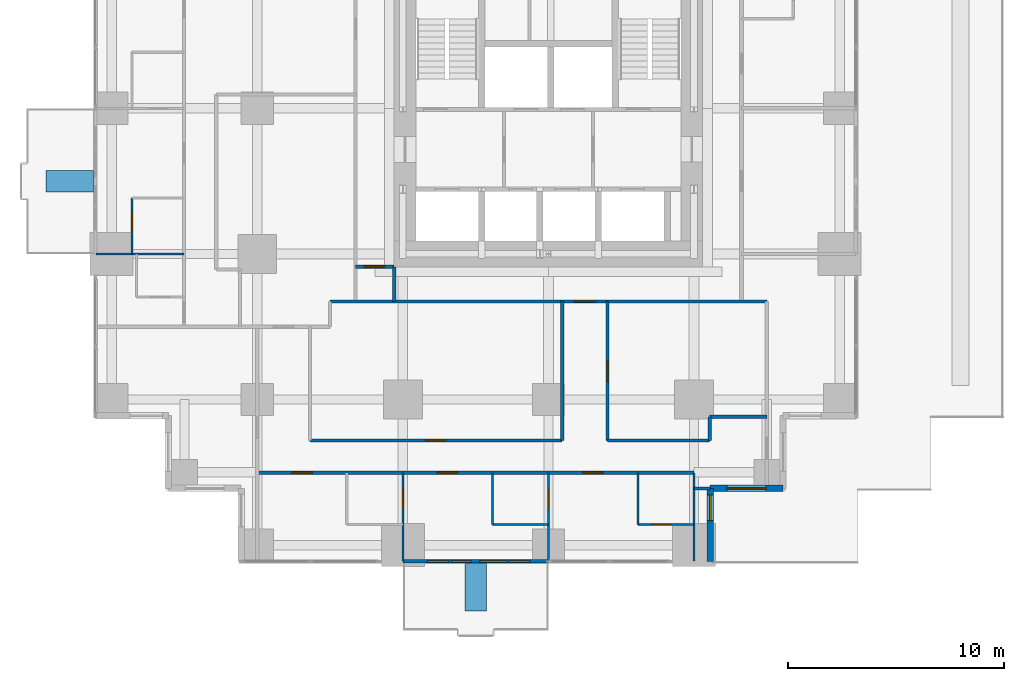
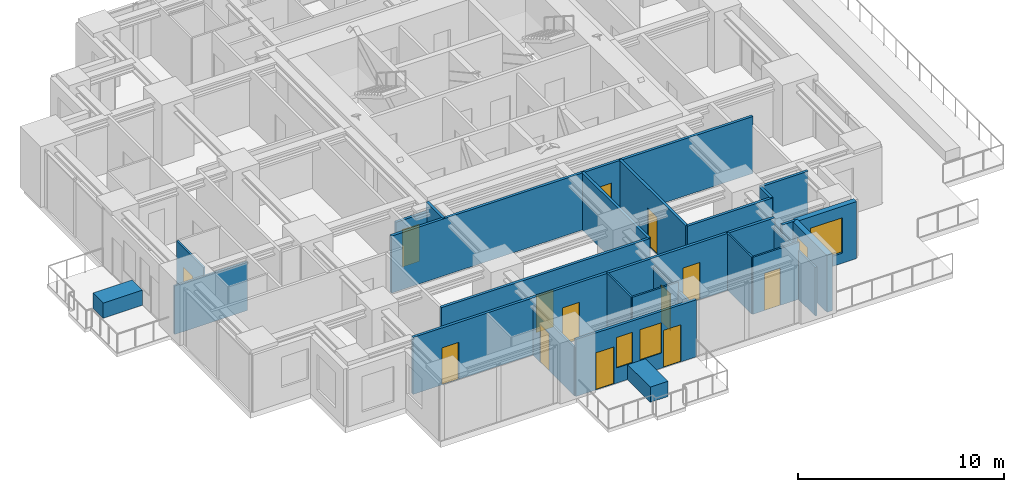
# One storey, part 5 of 10: 25 walls, 13 doors, 4 windows, 17 openings.
"""IFC4 building model written with IfcOpenShell, lengths in metres."""

from ifc_helpers import new_model, si_unit, direction, frame, frame_2d, origin, place, context, subcontext, project, spatial, rectangle, extrude, material, layer, layer_set, type_object, element, fill, save


model = new_model("IFC4")

# Units and contexts
model_context = context("Model", 3, precision=1e-05, world=origin(), true_north=direction((0.0, 1.0)))
body_context = subcontext(model_context, "Body", "Model", "MODEL_VIEW")
ifc_project = project(units=[si_unit("LENGTHUNIT", "METRE"), si_unit("AREAUNIT", "SQUARE_METRE"), si_unit("VOLUMEUNIT", "CUBIC_METRE"), si_unit("PLANEANGLEUNIT", "RADIAN"), si_unit("MASSUNIT", "GRAM", prefix="KILO")], contexts=[model_context])

# Site, building, storey
site_placement = place(None, origin())
site = spatial("IfcSite", under=ifc_project, at=site_placement, CompositionType="ELEMENT")
building_placement = place(site_placement, origin())
building = spatial("IfcBuilding", under=site, at=building_placement, Name="Nyansa Garden Tower", CompositionType="ELEMENT")
storey_placement = place(building_placement, frame((0.0, 0.0, 142.199951171875)))
storey = spatial("IfcBuildingStorey", under=building, at=storey_placement, Name="L38", CompositionType="ELEMENT", Elevation=142.199951171875)

# Wall, openings, doors, windows
ifc_material_1 = material(Name="Black aluminium framed glazed screen", Category="aluminium")
ifc_layer_1 = layer(ifc_material_1, 0.14990234375)
ifc_layer_set_1 = layer_set([ifc_layer_1], Name="Balcony screen wall BW150")
wall_type_1 = type_object("IfcWallType", Name="Balcony screen wall BW150", PredefinedType="SOLIDWALL", material=ifc_layer_set_1)
wall_1_placement = place(storey_placement, frame((20.25, -0.75, 0.0), z_axis=(0.0, 0.0, 1.0), x_axis=(-1.0, 0.0, 0.0)))
wall_1 = element("IfcWall", 1, at=wall_1_placement, inside=storey, type_object=wall_type_1, Name="Glazed screen wall L38 S", PredefinedType="SOLIDWALL", context=body_context, shape_type="SweptSolid", body=[
    extrude(rectangle(XDim=6.75, YDim=0.14990234375, at=frame_2d((3.375, 0.0))), origin(), (0.0, 0.0, 1.0), 3.375),
])
opening_1_placement = place(wall_1_placement, frame((0.862548828125, 0.0, 0.0)))
opening_1 = element("IfcOpeningElement", 2, at=opening_1_placement, cuts=wall_1, Name="Opening D20", PredefinedType="OPENING", context=body_context, shape_type="SweptSolid", body=[
    extrude(rectangle(XDim=1.0, YDim=2.199951171875, at=frame_2d((0.5, 1.10009765625))), frame((0.0, 0.0849609375, 0.0), z_axis=(0.0, -1.0, 0.0), x_axis=(1.0, 0.0, 0.0)), (0.0, 0.0, 1.0), 0.169921875),
])
opening_2_placement = place(wall_1_placement, frame((1.97509765625, 0.0, 0.89990234375)))
opening_2 = element("IfcOpeningElement", 3, at=opening_2_placement, cuts=wall_1, Name="Opening W6", PredefinedType="OPENING", context=body_context, shape_type="SweptSolid", body=[
    extrude(rectangle(XDim=1.199951171875, YDim=1.800048828125, at=frame_2d((0.60009765625, 0.89990234375))), frame((0.0, 0.0849609375, 0.0), z_axis=(0.0, -1.0, 0.0), x_axis=(1.0, 0.0, 0.0)), (0.0, 0.0, 1.0), 0.169921875),
])
opening_3_placement = place(wall_1_placement, frame((4.620849609375, 0.0, 0.0)))
opening_3 = element("IfcOpeningElement", 4, at=opening_3_placement, cuts=wall_1, Name="Opening D20", PredefinedType="OPENING", context=body_context, shape_type="SweptSolid", body=[
    extrude(rectangle(XDim=1.0, YDim=2.199951171875, at=frame_2d((0.5, 1.10009765625))), frame((0.0, 0.0849609375, 0.0), z_axis=(0.0, -1.0, 0.0), x_axis=(1.0, 0.0, 0.0)), (0.0, 0.0, 1.0), 0.169921875),
])
opening_4_placement = place(wall_1_placement, frame((3.591552734375, 0.0, 0.89990234375)))
opening_4 = element("IfcOpeningElement", 5, at=opening_4_placement, cuts=wall_1, Name="Opening W7", PredefinedType="OPENING", context=body_context, shape_type="SweptSolid", body=[
    extrude(rectangle(XDim=0.89990234375, YDim=1.800048828125, at=frame_2d((0.449951171875, 0.89990234375))), frame((0.0, 0.0849609375, 0.0), z_axis=(0.0, -1.0, 0.0), x_axis=(1.0, 0.0, 0.0)), (0.0, 0.0, 1.0), 0.169921875),
])
ifc_material_2 = material(Name="Black aluminium framed glazed door", Category="aluminium")
door_type_1 = type_object("IfcDoorType", Name="Balcony door D20 1000x2200", OperationType="NOTDEFINED", PredefinedType="DOOR", material=ifc_material_2)
door_1_placement = place(opening_1_placement, origin())
door_1 = element("IfcDoor", 6, at=door_1_placement, inside=storey, type_object=door_type_1, Name="Balcony door L38", OperationType="SINGLE_SWING_LEFT", OverallHeight=2.199951171875, OverallWidth=1.0, PredefinedType="DOOR", context=body_context, shape_type="SweptSolid", body=[
    extrude(rectangle(XDim=1.0, YDim=2.199951171875, at=frame_2d((0.5, 1.10009765625))), frame((0.0, 0.02490234375, 0.0), z_axis=(0.0, -1.0, 0.0), x_axis=(1.0, 0.0, 0.0)), (0.0, 0.0, 1.0), 0.050048828125),
])
fill(opening_1, door_1)
door_2_placement = place(opening_3_placement, origin())
door_2 = element("IfcDoor", 7, at=door_2_placement, inside=storey, type_object=door_type_1, Name="Balcony door L38", OperationType="SINGLE_SWING_RIGHT", OverallHeight=2.199951171875, OverallWidth=1.0, PredefinedType="DOOR", context=body_context, shape_type="SweptSolid", body=[
    extrude(rectangle(XDim=1.0, YDim=2.199951171875, at=frame_2d((0.5, 1.10009765625))), frame((0.0, 0.02490234375, 0.0), z_axis=(0.0, -1.0, 0.0), x_axis=(1.0, 0.0, 0.0)), (0.0, 0.0, 1.0), 0.050048828125),
])
fill(opening_3, door_2)
ifc_material_3 = material(Name="Black aluminium frame, dark tinted double glazing", Category="aluminium")
window_type_1 = type_object("IfcWindowType", Name="Balcony window W6 1200x1800", PartitioningType="SINGLE_PANEL", PredefinedType="WINDOW", material=ifc_material_3)
window_1_placement = place(opening_2_placement, origin())
window_1 = element("IfcWindow", 8, at=window_1_placement, inside=storey, type_object=window_type_1, Name="Window L38", OverallHeight=1.800048828125, OverallWidth=1.199951171875, PartitioningType="SINGLE_PANEL", PredefinedType="WINDOW", context=body_context, shape_type="SweptSolid", body=[
    extrude(rectangle(XDim=1.199951171875, YDim=1.800048828125, at=frame_2d((0.60009765625, 0.89990234375))), frame((0.0, 0.030029296875, 0.0), z_axis=(0.0, -1.0, 0.0), x_axis=(1.0, 0.0, 0.0)), (0.0, 0.0, 1.0), 0.06005859375),
])
fill(opening_2, window_1)
ifc_material_4 = material(Name="Black aluminium frame, dark tinted double glazing", Category="aluminium")
window_type_2 = type_object("IfcWindowType", Name="Balcony window W7 900x1800", PartitioningType="SINGLE_PANEL", PredefinedType="WINDOW", material=ifc_material_4)
window_2_placement = place(opening_4_placement, origin())
window_2 = element("IfcWindow", 9, at=window_2_placement, inside=storey, type_object=window_type_2, Name="Window L38", OverallHeight=1.800048828125, OverallWidth=0.89990234375, PartitioningType="SINGLE_PANEL", PredefinedType="WINDOW", context=body_context, shape_type="SweptSolid", body=[
    extrude(rectangle(XDim=0.89990234375, YDim=1.800048828125, at=frame_2d((0.449951171875, 0.89990234375))), frame((0.0, 0.030029296875, 0.0), z_axis=(0.0, -1.0, 0.0), x_axis=(1.0, 0.0, 0.0)), (0.0, 0.0, 1.0), 0.06005859375),
])
fill(opening_4, window_2)

# Wall, openings, doors
ifc_material_5 = material(Name="Blockwork, plastered both sides", Category="masonry")
ifc_layer_2 = layer(ifc_material_5, 0.14990234375)
ifc_layer_set_2 = layer_set([ifc_layer_2], Name="Partition PW150")
wall_type_2 = type_object("IfcWallType", Name="Partition PW150", PredefinedType="PARTITIONING", material=ifc_layer_set_2)
wall_2_placement = place(storey_placement, frame((6.75, 3.35009765625, 0.0), z_axis=(0.0, 0.0, 1.0), x_axis=(1.0, 0.0, 0.0)))
wall_2 = element("IfcWall", 10, at=wall_2_placement, inside=storey, type_object=wall_type_2, Name="Partition", PredefinedType="PARTITIONING", context=body_context, shape_type="SweptSolid", body=[
    extrude(rectangle(XDim=20.25, YDim=0.14990234375, at=frame_2d((10.125, 0.0))), origin(), (0.0, 0.0, 1.0), 3.375),
])
opening_5_placement = place(wall_2_placement, frame((15.10009765625, 0.0, 0.0)))
opening_5 = element("IfcOpeningElement", 11, at=opening_5_placement, cuts=wall_2, Name="Opening D14", PredefinedType="OPENING", context=body_context, shape_type="SweptSolid", body=[
    extrude(rectangle(XDim=0.949951171875, YDim=2.199951171875, at=frame_2d((0.47509765625, 1.10009765625))), frame((0.0, 0.0849609375, 0.0), z_axis=(0.0, -1.0, 0.0), x_axis=(1.0, 0.0, 0.0)), (0.0, 0.0, 1.0), 0.169921875),
])
opening_6_placement = place(wall_2_placement, frame((8.35009765625, 0.0, 0.0)))
opening_6 = element("IfcOpeningElement", 12, at=opening_6_placement, cuts=wall_2, Name="Opening D14", PredefinedType="OPENING", context=body_context, shape_type="SweptSolid", body=[
    extrude(rectangle(XDim=0.949951171875, YDim=2.199951171875, at=frame_2d((0.47509765625, 1.10009765625))), frame((0.0, 0.0849609375, 0.0), z_axis=(0.0, -1.0, 0.0), x_axis=(1.0, 0.0, 0.0)), (0.0, 0.0, 1.0), 0.169921875),
])
opening_7_placement = place(wall_2_placement, frame((1.60009765625, 0.0, 0.0)))
opening_7 = element("IfcOpeningElement", 13, at=opening_7_placement, cuts=wall_2, Name="Opening D14", PredefinedType="OPENING", context=body_context, shape_type="SweptSolid", body=[
    extrude(rectangle(XDim=0.949951171875, YDim=2.199951171875, at=frame_2d((0.47509765625, 1.10009765625))), frame((0.0, 0.0849609375, 0.0), z_axis=(0.0, -1.0, 0.0), x_axis=(1.0, 0.0, 0.0)), (0.0, 0.0, 1.0), 0.169921875),
])
ifc_material_6 = material(Name="Timber flush door, 60 minute fire resisting, self-closing", Category="wood")
door_type_2 = type_object("IfcDoorType", Name="Studio entrance door D14 950x2200", OperationType="SINGLE_SWING_LEFT", PredefinedType="DOOR", material=ifc_material_6)
door_3_placement = place(opening_5_placement, origin())
door_3 = element("IfcDoor", 14, at=door_3_placement, inside=storey, type_object=door_type_2, Name="Door L38-018", OperationType="SINGLE_SWING_LEFT", OverallHeight=2.199951171875, OverallWidth=0.949951171875, PredefinedType="DOOR", context=body_context, shape_type="SweptSolid", body=[
    extrude(rectangle(XDim=0.949951171875, YDim=2.199951171875, at=frame_2d((0.47509765625, 1.10009765625))), frame((0.0, 0.02490234375, 0.0), z_axis=(0.0, -1.0, 0.0), x_axis=(1.0, 0.0, 0.0)), (0.0, 0.0, 1.0), 0.050048828125),
])
fill(opening_5, door_3)
door_4_placement = place(opening_6_placement, origin())
door_4 = element("IfcDoor", 15, at=door_4_placement, inside=storey, type_object=door_type_2, Name="Door L38-020", OperationType="SINGLE_SWING_LEFT", OverallHeight=2.199951171875, OverallWidth=0.949951171875, PredefinedType="DOOR", context=body_context, shape_type="SweptSolid", body=[
    extrude(rectangle(XDim=0.949951171875, YDim=2.199951171875, at=frame_2d((0.47509765625, 1.10009765625))), frame((0.0, 0.02490234375, 0.0), z_axis=(0.0, -1.0, 0.0), x_axis=(1.0, 0.0, 0.0)), (0.0, 0.0, 1.0), 0.050048828125),
])
fill(opening_6, door_4)
door_5_placement = place(opening_7_placement, origin())
door_5 = element("IfcDoor", 16, at=door_5_placement, inside=storey, type_object=door_type_2, Name="Door L38-022", OperationType="SINGLE_SWING_LEFT", OverallHeight=2.199951171875, OverallWidth=0.949951171875, PredefinedType="DOOR", context=body_context, shape_type="SweptSolid", body=[
    extrude(rectangle(XDim=0.949951171875, YDim=2.199951171875, at=frame_2d((0.47509765625, 1.10009765625))), frame((0.0, 0.02490234375, 0.0), z_axis=(0.0, -1.0, 0.0), x_axis=(1.0, 0.0, 0.0)), (0.0, 0.0, 1.0), 0.050048828125),
])
fill(opening_7, door_5)

# Wall, opening, door
wall_3_placement = place(storey_placement, frame((9.199951171875, 4.85009765625, 0.0), z_axis=(0.0, 0.0, 1.0), x_axis=(1.0, 0.0, 0.0)))
wall_3 = element("IfcWall", 17, at=wall_3_placement, inside=storey, type_object=wall_type_2, Name="Partition", PredefinedType="PARTITIONING", context=body_context, shape_type="SweptSolid", body=[
    extrude(rectangle(XDim=11.6875, YDim=0.14990234375, at=frame_2d((5.84375, 0.0))), origin(), (0.0, 0.0, 1.0), 3.375),
])
opening_8_placement = place(wall_3_placement, frame((5.35009765625, 0.0, 0.0)))
opening_8 = element("IfcOpeningElement", 18, at=opening_8_placement, cuts=wall_3, Name="Opening D01", PredefinedType="OPENING", context=body_context, shape_type="SweptSolid", body=[
    extrude(rectangle(XDim=0.949951171875, YDim=2.199951171875, at=frame_2d((0.47509765625, 1.10009765625))), frame((0.0, 0.0849609375, 0.0), z_axis=(0.0, -1.0, 0.0), x_axis=(1.0, 0.0, 0.0)), (0.0, 0.0, 1.0), 0.169921875),
])
ifc_material_7 = material(Name="Timber flush door, 30 minute fire resisting", Category="wood")
door_type_3 = type_object("IfcDoorType", Name="Bedroom door D01 950x2200", OperationType="SINGLE_SWING_LEFT", PredefinedType="DOOR", material=ifc_material_7)
door_6_placement = place(opening_8_placement, origin())
door_6 = element("IfcDoor", 19, at=door_6_placement, inside=storey, type_object=door_type_3, Name="Door L38-025", OperationType="SINGLE_SWING_LEFT", OverallHeight=2.199951171875, OverallWidth=0.949951171875, PredefinedType="DOOR", context=body_context, shape_type="SweptSolid", body=[
    extrude(rectangle(XDim=0.949951171875, YDim=2.199951171875, at=frame_2d((0.47509765625, 1.10009765625))), frame((0.0, 0.02490234375, 0.0), z_axis=(0.0, -1.0, 0.0), x_axis=(1.0, 0.0, 0.0)), (0.0, 0.0, 1.0), 0.050048828125),
])
fill(opening_8, door_6)

wall_4_placement = place(storey_placement, frame((10.125, 11.300048828125, 0.0), z_axis=(0.0, 0.0, 1.0), x_axis=(1.0, 0.0, 0.0)))
wall_4 = element("IfcWall", 20, at=wall_4_placement, inside=storey, type_object=wall_type_2, Name="Partition", PredefinedType="PARTITIONING", context=body_context, shape_type="SweptSolid", body=[
    extrude(rectangle(XDim=20.25, YDim=0.14990234375, at=frame_2d((10.125, 0.0))), origin(), (0.0, 0.0, 1.0), 3.375),
])
opening_9_placement = place(wall_4_placement, frame((11.3125, 0.0, 0.0)))
opening_9 = element("IfcOpeningElement", 21, at=opening_9_placement, cuts=wall_4, Name="Opening D03", PredefinedType="OPENING", context=body_context, shape_type="SweptSolid", body=[
    extrude(rectangle(XDim=1.0, YDim=2.199951171875, at=frame_2d((0.5, 1.10009765625))), frame((0.0, 0.0849609375, 0.0), z_axis=(0.0, -1.0, 0.0), x_axis=(1.0, 0.0, 0.0)), (0.0, 0.0, 1.0), 0.169921875),
])
ifc_material_8 = material(Name="Timber flush door, 60 minute fire resisting", Category="wood")
door_type_4 = type_object("IfcDoorType", Name="Cluster entrance door D03 1000x2200", OperationType="SINGLE_SWING_LEFT", PredefinedType="DOOR", material=ifc_material_8)
door_7_placement = place(opening_9_placement, origin())
door_7 = element("IfcDoor", 22, at=door_7_placement, inside=storey, type_object=door_type_4, Name="Door L38-024", OperationType="SINGLE_SWING_LEFT", OverallHeight=2.199951171875, OverallWidth=1.0, PredefinedType="DOOR", context=body_context, shape_type="SweptSolid", body=[
    extrude(rectangle(XDim=1.0, YDim=2.199951171875, at=frame_2d((0.5, 1.10009765625))), frame((0.0, 0.02490234375, 0.0), z_axis=(0.0, -1.0, 0.0), x_axis=(1.0, 0.0, 0.0)), (0.0, 0.0, 1.0), 0.050048828125),
])
fill(opening_9, door_7)

wall_5_placement = place(storey_placement, frame((11.300048828125, 12.89990234375, 0.0), z_axis=(0.0, 0.0, 1.0), x_axis=(1.0, 0.0, 0.0)))
wall_5 = element("IfcWall", 23, at=wall_5_placement, inside=storey, type_object=wall_type_2, Name="Partition", PredefinedType="PARTITIONING", context=body_context, shape_type="SweptSolid", body=[
    extrude(rectangle(XDim=1.800048828125, YDim=0.14990234375, at=frame_2d((0.89990234375, 0.0))), origin(), (0.0, 0.0, 1.0), 2.80615234375),
])
opening_10_placement = place(wall_5_placement, frame((0.39990234375, 0.0, 0.0)))
opening_10 = element("IfcOpeningElement", 24, at=opening_10_placement, cuts=wall_5, Name="Opening D01", PredefinedType="OPENING", context=body_context, shape_type="SweptSolid", body=[
    extrude(rectangle(XDim=0.949951171875, YDim=2.199951171875, at=frame_2d((0.47509765625, 1.10009765625))), frame((0.0, 0.0849609375, 0.0), z_axis=(0.0, -1.0, 0.0), x_axis=(1.0, 0.0, 0.0)), (0.0, 0.0, 1.0), 0.169921875),
])
door_8_placement = place(opening_10_placement, origin())
door_8 = element("IfcDoor", 25, at=door_8_placement, inside=storey, type_object=door_type_3, Name="Door L38-016", OperationType="SINGLE_SWING_LEFT", OverallHeight=2.199951171875, OverallWidth=0.949951171875, PredefinedType="DOOR", context=body_context, shape_type="SweptSolid", body=[
    extrude(rectangle(XDim=0.949951171875, YDim=2.199951171875, at=frame_2d((0.47509765625, 1.10009765625))), frame((0.0, 0.02490234375, 0.0), z_axis=(0.0, -1.0, 0.0), x_axis=(1.0, 0.0, 0.0)), (0.0, 0.0, 1.0), 0.050048828125),
])
fill(opening_10, door_8)

# Walls
wall_6_placement = place(storey_placement, frame((13.10009765625, 11.300048828125, 0.0), z_axis=(0.0, 0.0, 1.0), x_axis=(0.0, 1.0, 0.0)))
element("IfcWall", 26, at=wall_6_placement, inside=storey, type_object=wall_type_2, Name="Partition", PredefinedType="PARTITIONING", context=body_context, shape_type="SweptSolid", body=[
    extrude(rectangle(XDim=1.599853515625, YDim=0.14990234375, at=frame_2d((0.7998046875, 0.0))), origin(), (0.0, 0.0, 1.0), 3.375),
])
wall_7_placement = place(storey_placement, frame((20.886962890625, 4.85009765625, 0.0), z_axis=(0.0, 0.0, 1.0), x_axis=(0.0, 1.0, 0.0)))
element("IfcWall", 27, at=wall_7_placement, inside=storey, type_object=wall_type_2, Name="Partition", PredefinedType="PARTITIONING", context=body_context, shape_type="SweptSolid", body=[
    extrude(rectangle(XDim=6.449951171875, YDim=0.14990234375, at=frame_2d((3.22509765625, 0.0))), origin(), (0.0, 0.0, 1.0), 3.375),
])
wall_8_placement = place(storey_placement, frame((22.987548828125, 4.85009765625, 0.0), z_axis=(0.0, 0.0, 1.0), x_axis=(1.0, 0.0, 0.0)))
element("IfcWall", 28, at=wall_8_placement, inside=storey, type_object=wall_type_2, Name="Partition", PredefinedType="PARTITIONING", context=body_context, shape_type="SweptSolid", body=[
    extrude(rectangle(XDim=4.737548828125, YDim=0.14990234375, at=frame_2d((2.36865234375, 0.0))), origin(), (0.0, 0.0, 1.0), 3.375),
])

# Wall, opening, door
wall_9_placement = place(storey_placement, frame((22.988037109375, 4.85009765625, 0.0), z_axis=(0.0, 0.0, 1.0), x_axis=(0.0, 1.0, 0.0)))
wall_9 = element("IfcWall", 29, at=wall_9_placement, inside=storey, type_object=wall_type_2, Name="Partition", PredefinedType="PARTITIONING", context=body_context, shape_type="SweptSolid", body=[
    extrude(rectangle(XDim=6.449951171875, YDim=0.14990234375, at=frame_2d((3.22509765625, 0.0))), origin(), (0.0, 0.0, 1.0), 3.375),
])
opening_11_placement = place(wall_9_placement, frame((2.75, 0.0, 0.0)))
opening_11 = element("IfcOpeningElement", 30, at=opening_11_placement, cuts=wall_9, Name="Opening D01", PredefinedType="OPENING", context=body_context, shape_type="SweptSolid", body=[
    extrude(rectangle(XDim=0.949951171875, YDim=2.199951171875, at=frame_2d((0.47509765625, 1.10009765625))), frame((0.0, 0.0849609375, 0.0), z_axis=(0.0, -1.0, 0.0), x_axis=(1.0, 0.0, 0.0)), (0.0, 0.0, 1.0), 0.169921875),
])
door_9_placement = place(opening_11_placement, origin())
door_9 = element("IfcDoor", 31, at=door_9_placement, inside=storey, type_object=door_type_3, Name="Door L38-026", OperationType="SINGLE_SWING_LEFT", OverallHeight=2.199951171875, OverallWidth=0.949951171875, PredefinedType="DOOR", context=body_context, shape_type="SweptSolid", body=[
    extrude(rectangle(XDim=0.949951171875, YDim=2.199951171875, at=frame_2d((0.47509765625, 1.10009765625))), frame((0.0, 0.02490234375, 0.0), z_axis=(0.0, -1.0, 0.0), x_axis=(1.0, 0.0, 0.0)), (0.0, 0.0, 1.0), 0.050048828125),
])
fill(opening_11, door_9)

# Walls
wall_10_placement = place(storey_placement, frame((27.0, 2.625, 0.0), z_axis=(0.0, 0.0, 1.0), x_axis=(1.0, 0.0, 0.0)))
element("IfcWall", 32, at=wall_10_placement, inside=storey, type_object=wall_type_2, Name="Partition", PredefinedType="PARTITIONING", context=body_context, shape_type="SweptSolid", body=[
    extrude(rectangle(XDim=0.73388671875, YDim=0.14990234375, at=frame_2d((0.366943359375, 0.0))), origin(), (0.0, 0.0, 1.0), 3.375),
])
wall_11_placement = place(storey_placement, frame((27.72509765625, 4.85009765625, 0.0), z_axis=(0.0, 0.0, 1.0), x_axis=(0.0, 1.0, 0.0)))
element("IfcWall", 33, at=wall_11_placement, inside=storey, type_object=wall_type_2, Name="Partition", PredefinedType="PARTITIONING", context=body_context, shape_type="SweptSolid", body=[
    extrude(rectangle(XDim=1.099853515625, YDim=0.14990234375, at=frame_2d((0.5498046875, 0.0))), origin(), (0.0, 0.0, 1.0), 3.375),
])
wall_12_placement = place(storey_placement, frame((27.72509765625, 5.949951171875, 0.0), z_axis=(0.0, 0.0, 1.0), x_axis=(1.0, 0.0, 0.0)))
element("IfcWall", 34, at=wall_12_placement, inside=storey, type_object=wall_type_2, Name="Partition", PredefinedType="PARTITIONING", context=body_context, shape_type="SweptSolid", body=[
    extrude(rectangle(XDim=2.64990234375, YDim=0.14990234375, at=frame_2d((1.324951171875, 0.0))), origin(), (0.0, 0.0, 1.0), 3.375),
])

# Wall, opening, window
ifc_material_9 = material(Name="Turquoise glazed tile on concrete blockwork", Category="masonry")
ifc_layer_3 = layer(ifc_material_9, 0.300048828125)
ifc_layer_set_3 = layer_set([ifc_layer_3], Name="Tiled corner wall TW300")
wall_type_3 = type_object("IfcWallType", Name="Tiled corner wall TW300", PredefinedType="SOLIDWALL", material=ifc_layer_set_3)
wall_13_placement = place(storey_placement, frame((27.75, -0.75, 0.0), z_axis=(0.0, 0.0, 1.0), x_axis=(0.0, 1.0, 0.0)))
wall_13 = element("IfcWall", 35, at=wall_13_placement, inside=storey, type_object=wall_type_3, Name="Tiled corner wall L38", PredefinedType="SOLIDWALL", context=body_context, shape_type="SweptSolid", body=[
    extrude(rectangle(XDim=3.375, YDim=0.300048828125, at=frame_2d((1.6875, 0.0))), origin(), (0.0, 0.0, 1.0), 3.375),
])
opening_12_placement = place(wall_13_placement, frame((1.882568359375, 0.0, 0.89990234375)))
opening_12 = element("IfcOpeningElement", 36, at=opening_12_placement, cuts=wall_13, Name="Opening W4", PredefinedType="OPENING", context=body_context, shape_type="SweptSolid", body=[
    extrude(rectangle(XDim=1.199951171875, YDim=1.800048828125, at=frame_2d((0.60009765625, 0.89990234375))), frame((0.0, 0.159912109375, 0.0), z_axis=(0.0, -1.0, 0.0), x_axis=(1.0, 0.0, 0.0)), (0.0, 0.0, 1.0), 0.320068359375),
])
ifc_material_10 = material(Name="Black aluminium frame, dark tinted double glazing", Category="aluminium")
window_type_3 = type_object("IfcWindowType", Name="Window W4 1200x1800", PartitioningType="SINGLE_PANEL", PredefinedType="WINDOW", material=ifc_material_10)
window_3_placement = place(opening_12_placement, origin())
window_3 = element("IfcWindow", 37, at=window_3_placement, inside=storey, type_object=window_type_3, Name="Corner window L38", OverallHeight=1.800048828125, OverallWidth=1.199951171875, PartitioningType="SINGLE_PANEL", PredefinedType="WINDOW", context=body_context, shape_type="SweptSolid", body=[
    extrude(rectangle(XDim=1.199951171875, YDim=1.800048828125, at=frame_2d((0.60009765625, 0.89990234375))), frame((0.0, 0.030029296875, 0.0), z_axis=(0.0, -1.0, 0.0), x_axis=(1.0, 0.0, 0.0)), (0.0, 0.0, 1.0), 0.06005859375),
])
fill(opening_12, window_3)

wall_14_placement = place(storey_placement, frame((27.75, 2.625, 0.0), z_axis=(0.0, 0.0, 1.0), x_axis=(1.0, 0.0, 0.0)))
wall_14 = element("IfcWall", 38, at=wall_14_placement, inside=storey, type_object=wall_type_3, Name="Tiled corner wall L38", PredefinedType="SOLIDWALL", context=body_context, shape_type="SweptSolid", body=[
    extrude(rectangle(XDim=3.375, YDim=0.300048828125, at=frame_2d((1.6875, 0.0))), origin(), (0.0, 0.0, 1.0), 3.375),
])
opening_13_placement = place(wall_14_placement, frame((0.78759765625, 0.0, 0.60009765625)))
opening_13 = element("IfcOpeningElement", 39, at=opening_13_placement, cuts=wall_14, Name="Opening W2", PredefinedType="OPENING", context=body_context, shape_type="SweptSolid", body=[
    extrude(rectangle(XDim=1.800048828125, YDim=2.10009765625, at=frame_2d((0.89990234375, 1.050048828125))), frame((0.0, 0.159912109375, 0.0), z_axis=(0.0, -1.0, 0.0), x_axis=(1.0, 0.0, 0.0)), (0.0, 0.0, 1.0), 0.320068359375),
])
ifc_material_11 = material(Name="Black aluminium frame, dark tinted double glazing", Category="aluminium")
window_type_4 = type_object("IfcWindowType", Name="Window W2 1800x2100", PartitioningType="SINGLE_PANEL", PredefinedType="WINDOW", material=ifc_material_11)
window_4_placement = place(opening_13_placement, origin())
window_4 = element("IfcWindow", 40, at=window_4_placement, inside=storey, type_object=window_type_4, Name="Corner window L38", OverallHeight=2.10009765625, OverallWidth=1.800048828125, PartitioningType="SINGLE_PANEL", PredefinedType="WINDOW", context=body_context, shape_type="SweptSolid", body=[
    extrude(rectangle(XDim=1.800048828125, YDim=2.10009765625, at=frame_2d((0.89990234375, 1.050048828125))), frame((0.0, 0.030029296875, 0.0), z_axis=(0.0, -1.0, 0.0), x_axis=(1.0, 0.0, 0.0)), (0.0, 0.0, 1.0), 0.06005859375),
])
fill(opening_13, window_4)

# Walls
ifc_material_12 = material(Name="Concrete C40/50 planter, waterproofed", Category="concrete")
ifc_layer_4 = layer(ifc_material_12, 1.0)
ifc_layer_set_4 = layer_set([ifc_layer_4], Name="Tree planter TP1")
wall_type_4 = type_object("IfcWallType", Name="Tree planter TP1", PredefinedType="USERDEFINED", material=ifc_layer_set_4)
for number, where, z_axis, x_axis, name in (
    (41, (16.875, -0.85009765625, 0.0), (0.0, 0.0, 1.0), (0.0, -1.0, 0.0), "Tree planter L38"),
    (42, (-0.85009765625, 16.875, 0.0), (0.0, 0.0, 1.0), (-1.0, 0.0, 0.0), "Tree planter L38"),
):
    element("IfcWall", number, at=place(storey_placement, frame(where, z_axis=z_axis, x_axis=x_axis)), inside=storey, type_object=wall_type_4, Name=name, ObjectType="TREE PLANTER", PredefinedType="USERDEFINED", context=body_context, shape_type="SweptSolid", body=[
        extrude(rectangle(XDim=2.199951171875, YDim=1.0, at=frame_2d((1.10009765625, 0.0))), origin(), (0.0, 0.0, 1.0), 0.900146484375),
    ])
ifc_material_13 = material(Name="Moisture resistant board on steel studs, tiled", Category="steel")
ifc_layer_5 = layer(ifc_material_13, 0.10009765625)
ifc_layer_set_5 = layer_set([ifc_layer_5], Name="Wet wall PW100")
wall_type_5 = type_object("IfcWallType", Name="Wet wall PW100", PredefinedType="PARTITIONING", material=ifc_layer_set_5)
wall_15_placement = place(storey_placement, frame((-0.73388671875, 13.5, 0.0), z_axis=(0.0, 0.0, 1.0), x_axis=(1.0, 0.0, 0.0)))
element("IfcWall", 43, at=wall_15_placement, inside=storey, type_object=wall_type_5, Name="Wet wall", PredefinedType="PARTITIONING", context=body_context, shape_type="SweptSolid", body=[
    extrude(rectangle(XDim=4.083984375, YDim=0.10009765625, at=frame_2d((2.0419921875, 0.0))), origin(), (0.0, 0.0, 1.0), 2.876953125),
])

# Wall, opening, door
wall_16_placement = place(storey_placement, frame((0.949951171875, 13.5, 0.0), z_axis=(0.0, 0.0, 1.0), x_axis=(0.0, 1.0, 0.0)))
wall_16 = element("IfcWall", 44, at=wall_16_placement, inside=storey, type_object=wall_type_5, Name="Wet wall", PredefinedType="PARTITIONING", context=body_context, shape_type="SweptSolid", body=[
    extrude(rectangle(XDim=2.60009765625, YDim=0.10009765625, at=frame_2d((1.300048828125, 0.0))), origin(), (0.0, 0.0, 1.0), 3.375),
])
opening_14_placement = place(wall_16_placement, frame((1.050048828125, 0.0, 0.0)))
opening_14 = element("IfcOpeningElement", 45, at=opening_14_placement, cuts=wall_16, Name="Opening D02", PredefinedType="OPENING", context=body_context, shape_type="SweptSolid", body=[
    extrude(rectangle(XDim=0.89990234375, YDim=2.199951171875, at=frame_2d((0.449951171875, 1.10009765625))), frame((0.0, 0.06005859375, 0.0), z_axis=(0.0, -1.0, 0.0), x_axis=(1.0, 0.0, 0.0)), (0.0, 0.0, 1.0), 0.1201171875),
])
ifc_material_14 = material(Name="Timber flush door", Category="wood")
door_type_5 = type_object("IfcDoorType", Name="En-suite door D02 900x2200", OperationType="SINGLE_SWING_RIGHT", PredefinedType="DOOR", material=ifc_material_14)
door_10_placement = place(opening_14_placement, origin())
door_10 = element("IfcDoor", 46, at=door_10_placement, inside=storey, type_object=door_type_5, Name="Door L38-041", OperationType="SINGLE_SWING_RIGHT", OverallHeight=2.199951171875, OverallWidth=0.89990234375, PredefinedType="DOOR", context=body_context, shape_type="SweptSolid", body=[
    extrude(rectangle(XDim=0.89990234375, YDim=2.199951171875, at=frame_2d((0.449951171875, 1.10009765625))), frame((0.0, 0.02490234375, 0.0), z_axis=(0.0, -1.0, 0.0), x_axis=(1.0, 0.0, 0.0)), (0.0, 0.0, 1.0), 0.050048828125),
])
fill(opening_14, door_10)

wall_17_placement = place(storey_placement, frame((13.5, -0.73388671875, 0.0), z_axis=(0.0, 0.0, 1.0), x_axis=(0.0, 1.0, 0.0)))
wall_17 = element("IfcWall", 47, at=wall_17_placement, inside=storey, type_object=wall_type_5, Name="Wet wall", PredefinedType="PARTITIONING", context=body_context, shape_type="SweptSolid", body=[
    extrude(rectangle(XDim=4.083984375, YDim=0.10009765625, at=frame_2d((2.0419921875, 0.0))), origin(), (0.0, 0.0, 1.0), 2.876953125),
])
opening_15_placement = place(wall_17_placement, frame((2.43408203125, 0.0, 0.0)))
opening_15 = element("IfcOpeningElement", 48, at=opening_15_placement, cuts=wall_17, Name="Opening D02", PredefinedType="OPENING", context=body_context, shape_type="SweptSolid", body=[
    extrude(rectangle(XDim=0.89990234375, YDim=2.199951171875, at=frame_2d((0.449951171875, 1.10009765625))), frame((0.0, 0.06005859375, 0.0), z_axis=(0.0, -1.0, 0.0), x_axis=(1.0, 0.0, 0.0)), (0.0, 0.0, 1.0), 0.1201171875),
])
door_11_placement = place(opening_15_placement, origin())
door_11 = element("IfcDoor", 49, at=door_11_placement, inside=storey, type_object=door_type_5, Name="Door L38-023", OperationType="SINGLE_SWING_RIGHT", OverallHeight=2.199951171875, OverallWidth=0.89990234375, PredefinedType="DOOR", context=body_context, shape_type="SweptSolid", body=[
    extrude(rectangle(XDim=0.89990234375, YDim=2.199951171875, at=frame_2d((0.449951171875, 1.10009765625))), frame((0.0, 0.02490234375, 0.0), z_axis=(0.0, -1.0, 0.0), x_axis=(1.0, 0.0, 0.0)), (0.0, 0.0, 1.0), 0.050048828125),
])
fill(opening_15, door_11)

# Walls
wall_18_placement = place(storey_placement, frame((17.64990234375, 0.949951171875, 0.0), z_axis=(0.0, 0.0, 1.0), x_axis=(0.0, 1.0, 0.0)))
element("IfcWall", 50, at=wall_18_placement, inside=storey, type_object=wall_type_5, Name="Wet wall", PredefinedType="PARTITIONING", context=body_context, shape_type="SweptSolid", body=[
    extrude(rectangle(XDim=2.400146484375, YDim=0.10009765625, at=frame_2d((1.2001953125, 0.0))), origin(), (0.0, 0.0, 1.0), 3.375),
])
wall_19_placement = place(storey_placement, frame((17.64990234375, 0.949951171875, 0.0), z_axis=(0.0, 0.0, 1.0), x_axis=(1.0, 0.0, 0.0)))
element("IfcWall", 51, at=wall_19_placement, inside=storey, type_object=wall_type_5, Name="Wet wall", PredefinedType="PARTITIONING", context=body_context, shape_type="SweptSolid", body=[
    extrude(rectangle(XDim=2.60009765625, YDim=0.10009765625, at=frame_2d((1.300048828125, 0.0))), origin(), (0.0, 0.0, 1.0), 3.375),
])

# Wall, opening, door
wall_20_placement = place(storey_placement, frame((20.25, -0.73388671875, 0.0), z_axis=(0.0, 0.0, 1.0), x_axis=(0.0, 1.0, 0.0)))
wall_20 = element("IfcWall", 52, at=wall_20_placement, inside=storey, type_object=wall_type_5, Name="Wet wall", PredefinedType="PARTITIONING", context=body_context, shape_type="SweptSolid", body=[
    extrude(rectangle(XDim=4.083984375, YDim=0.10009765625, at=frame_2d((2.0419921875, 0.0))), origin(), (0.0, 0.0, 1.0), 2.876953125),
])
opening_16_placement = place(wall_20_placement, frame((2.43408203125, 0.0, 0.0)))
opening_16 = element("IfcOpeningElement", 53, at=opening_16_placement, cuts=wall_20, Name="Opening D02", PredefinedType="OPENING", context=body_context, shape_type="SweptSolid", body=[
    extrude(rectangle(XDim=0.89990234375, YDim=2.199951171875, at=frame_2d((0.449951171875, 1.10009765625))), frame((0.0, 0.06005859375, 0.0), z_axis=(0.0, -1.0, 0.0), x_axis=(1.0, 0.0, 0.0)), (0.0, 0.0, 1.0), 0.1201171875),
])
door_12_placement = place(opening_16_placement, origin())
door_12 = element("IfcDoor", 54, at=door_12_placement, inside=storey, type_object=door_type_5, Name="Door L38-021", OperationType="SINGLE_SWING_RIGHT", OverallHeight=2.199951171875, OverallWidth=0.89990234375, PredefinedType="DOOR", context=body_context, shape_type="SweptSolid", body=[
    extrude(rectangle(XDim=0.89990234375, YDim=2.199951171875, at=frame_2d((0.449951171875, 1.10009765625))), frame((0.0, 0.02490234375, 0.0), z_axis=(0.0, -1.0, 0.0), x_axis=(1.0, 0.0, 0.0)), (0.0, 0.0, 1.0), 0.050048828125),
])
fill(opening_16, door_12)

# Wall
wall_21_placement = place(storey_placement, frame((24.39990234375, 0.949951171875, 0.0), z_axis=(0.0, 0.0, 1.0), x_axis=(0.0, 1.0, 0.0)))
element("IfcWall", 55, at=wall_21_placement, inside=storey, type_object=wall_type_5, Name="Wet wall", PredefinedType="PARTITIONING", context=body_context, shape_type="SweptSolid", body=[
    extrude(rectangle(XDim=2.400146484375, YDim=0.10009765625, at=frame_2d((1.2001953125, 0.0))), origin(), (0.0, 0.0, 1.0), 3.375),
])

# Wall, opening, door
wall_22_placement = place(storey_placement, frame((24.39990234375, 0.949951171875, 0.0), z_axis=(0.0, 0.0, 1.0), x_axis=(1.0, 0.0, 0.0)))
wall_22 = element("IfcWall", 56, at=wall_22_placement, inside=storey, type_object=wall_type_5, Name="Wet wall", PredefinedType="PARTITIONING", context=body_context, shape_type="SweptSolid", body=[
    extrude(rectangle(XDim=2.60009765625, YDim=0.10009765625, at=frame_2d((1.300048828125, 0.0))), origin(), (0.0, 0.0, 1.0), 3.375),
])
opening_17_placement = place(wall_22_placement, frame((0.64990234375, 0.0, 0.0)))
opening_17 = element("IfcOpeningElement", 57, at=opening_17_placement, cuts=wall_22, Name="Opening D02", PredefinedType="OPENING", context=body_context, shape_type="SweptSolid", body=[
    extrude(rectangle(XDim=0.89990234375, YDim=2.199951171875, at=frame_2d((0.449951171875, 1.10009765625))), frame((0.0, 0.06005859375, 0.0), z_axis=(0.0, -1.0, 0.0), x_axis=(1.0, 0.0, 0.0)), (0.0, 0.0, 1.0), 0.1201171875),
])
door_13_placement = place(opening_17_placement, origin())
door_13 = element("IfcDoor", 58, at=door_13_placement, inside=storey, type_object=door_type_5, Name="Door L38-019", OperationType="SINGLE_SWING_RIGHT", OverallHeight=2.199951171875, OverallWidth=0.89990234375, PredefinedType="DOOR", context=body_context, shape_type="SweptSolid", body=[
    extrude(rectangle(XDim=0.89990234375, YDim=2.199951171875, at=frame_2d((0.449951171875, 1.10009765625))), frame((0.0, 0.02490234375, 0.0), z_axis=(0.0, -1.0, 0.0), x_axis=(1.0, 0.0, 0.0)), (0.0, 0.0, 1.0), 0.050048828125),
])
fill(opening_17, door_13)

# Wall
wall_23_placement = place(storey_placement, frame((27.0, -0.73388671875, 0.0), z_axis=(0.0, 0.0, 1.0), x_axis=(0.0, 1.0, 0.0)))
element("IfcWall", 59, at=wall_23_placement, inside=storey, type_object=wall_type_5, Name="Wet wall", PredefinedType="PARTITIONING", context=body_context, shape_type="SweptSolid", body=[
    extrude(rectangle(XDim=4.083984375, YDim=0.10009765625, at=frame_2d((2.0419921875, 0.0))), origin(), (0.0, 0.0, 1.0), 2.876953125),
])

save(model, "model.ifc")
